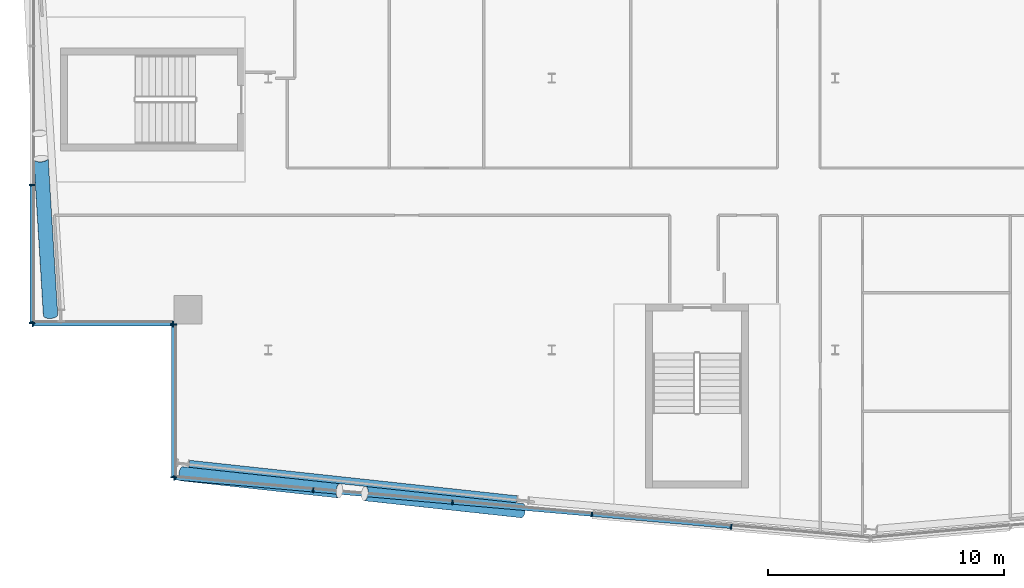
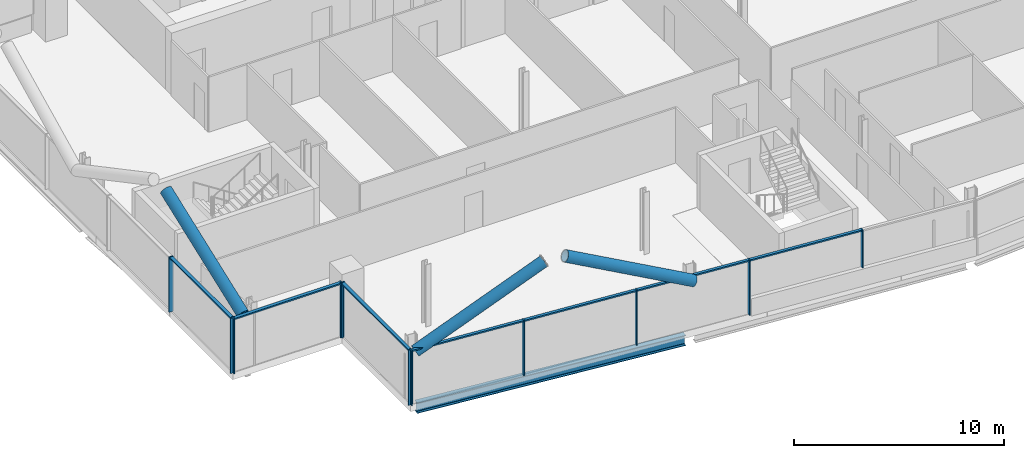
# One storey, part 5 of 26: 21 members, 1 beam, 4 elements without a shape of their own.
"""IFC4 building model written with IfcOpenShell, lengths in metres."""

import ifcopenshell
import ifcopenshell.guid

model = None  # the IFC model being written
_history = None  # IfcOwnerHistory: only IFC2X3 demands one
_inside = {}  # id of a spatial element -> (the spatial element, [elements in it])
_under = {}  # id of a project, library or spatial element -> (it, [spatial elements below it])
_declared = {}  # id of a project -> (the project, [libraries it declares])
_typed = {}  # id of a type object -> (the type object, [elements of that type])
_made_of = {}  # id of a material, layer set ... -> (it, [elements and type objects made of it])


def new_model(schema):
    """Start an empty IFC model of exactly this schema.

    Asked for "IFC4X3", IfcOpenShell would pick the latest addendum, in which some entities
    have other attributes; the version numbers below select the first issue.
    IFC2X3 requires an IfcOwnerHistory on every rooted entity: one is made here for all.
    """
    global model, _history
    if schema == "IFC4X3":
        model = ifcopenshell.file(schema_version=(4, 3, 0, 0))
    else:
        model = ifcopenshell.file(schema=schema)
    _inside.clear()
    _under.clear()
    _declared.clear()
    _typed.clear()
    _made_of.clear()
    _history = None
    if model.schema == "IFC2X3":
        org = make("IfcOrganization", Name="unknown")
        user = make(
            "IfcPersonAndOrganization",
            ThePerson=make("IfcPerson", FamilyName="unknown"),
            TheOrganization=org,
        )
        app = make(
            "IfcApplication",
            ApplicationDeveloper=org,
            Version="unknown",
            ApplicationFullName="unknown",
            ApplicationIdentifier="unknown",
        )
        _history = make(
            "IfcOwnerHistory",
            OwningUser=user,
            OwningApplication=app,
            ChangeAction="ADDED",
            CreationDate=0,
        )
    return model


def make(cls, **values):
    """One entity of the class cls with the attributes given. An attribute that is None is left unset."""
    return model.create_entity(
        cls, **{name: value for name, value in values.items() if value is not None}
    )


def rooted(cls, **values):
    """An entity with a GlobalId (a new one), such as an element, a storey or a relation."""
    return make(cls, GlobalId=ifcopenshell.guid.new(), OwnerHistory=_history, **values)


def si_unit(unit_type, name, prefix=None):
    """IfcSIUnit, for example si_unit("LENGTHUNIT", "METRE", prefix="MILLI")."""
    return make("IfcSIUnit", UnitType=unit_type, Prefix=prefix, Name=name)


def assignment(units):
    """IfcUnitAssignment: the units of a project."""
    return None if units is None else make("IfcUnitAssignment", Units=units)


def point(xyz):
    """IfcCartesianPoint."""
    return None if xyz is None else make("IfcCartesianPoint", Coordinates=xyz)


def direction(xyz):
    """IfcDirection."""
    return None if xyz is None else make("IfcDirection", DirectionRatios=xyz)


def frame(location, z_axis=None, x_axis=None):
    """IfcAxis2Placement3D, a coordinate frame: its origin and axes. An axis left out is left unset."""
    return make(
        "IfcAxis2Placement3D",
        Location=point(location),
        Axis=direction(z_axis),
        RefDirection=direction(x_axis),
    )


def frame_2d(location, x_axis=None):
    """IfcAxis2Placement2D, a coordinate frame in the plane: its origin and x axis."""
    return make(
        "IfcAxis2Placement2D", Location=point(location), RefDirection=direction(x_axis)
    )


def origin():
    """The frame at (0, 0, 0) with its axes left unset."""
    return frame((0.0, 0.0, 0.0))


def origin_2d():
    """The frame at (0, 0) in the plane with its x axis left unset."""
    return frame_2d((0.0, 0.0))


def place(relative_to, where):
    """IfcLocalPlacement: puts the frame where relative to a parent placement (None: the world)."""
    return make(
        "IfcLocalPlacement", PlacementRelTo=relative_to, RelativePlacement=where
    )


def context(
    kind, dimensions, precision=None, world=None, true_north=None, identifier=None
):
    """IfcGeometricRepresentationContext, for example the 3D "Model" context."""
    return make(
        "IfcGeometricRepresentationContext",
        ContextIdentifier=identifier,
        ContextType=kind,
        CoordinateSpaceDimension=dimensions,
        Precision=precision,
        WorldCoordinateSystem=world,
        TrueNorth=true_north,
    )


def subcontext(parent, identifier, kind, view, scale=None):
    """IfcGeometricRepresentationSubContext, for example "Body" below "Model"."""
    return make(
        "IfcGeometricRepresentationSubContext",
        ContextIdentifier=identifier,
        ContextType=kind,
        ParentContext=parent,
        TargetScale=scale,
        TargetView=view,
    )


def project(units=None, contexts=None):
    """IfcProject with its units and contexts."""
    return rooted(
        "IfcProject",
        Name="project",
        RepresentationContexts=contexts,
        UnitsInContext=assignment(units),
    )


def spatial(cls, under=None, at=None, **own):
    """A site, building, storey or space (cls), placed at a placement, below another one or the project."""
    s = rooted(cls, ObjectPlacement=at, **own)
    if under is not None:
        _under.setdefault(under.id(), (under, []))[1].append(s)
    return s


def profile(cls, at=None, kind="AREA", **sizes):
    """A parametric profile (cls). Its sizes go by their IFC names, for example OverallWidth=200.0."""
    return make(cls, ProfileType=kind, Position=at, **sizes)


def rectangle(**sizes):
    """IfcRectangleProfileDef."""
    return profile("IfcRectangleProfileDef", **sizes)


def hollow_circle(**sizes):
    """IfcCircleHollowProfileDef."""
    return profile("IfcCircleHollowProfileDef", **sizes)


def i_section(**sizes):
    """IfcIShapeProfileDef."""
    return profile("IfcIShapeProfileDef", **sizes)


def extrude(swept, where, along, depth):
    """IfcExtrudedAreaSolid: the profile swept, set in the frame where, extruded along a direction by depth."""
    return make(
        "IfcExtrudedAreaSolid",
        SweptArea=swept,
        Position=where,
        ExtrudedDirection=direction(along),
        Depth=depth,
    )


def shape(context_of_items, identifier, shape_type, items):
    """IfcShapeRepresentation: the items that make up one representation, for example the "Body"."""
    return make(
        "IfcShapeRepresentation",
        ContextOfItems=context_of_items,
        RepresentationIdentifier=identifier,
        RepresentationType=shape_type,
        Items=items,
    )


def material(Name=None, Category=None):
    """IfcMaterial."""
    return make("IfcMaterial", Name=Name, Category=Category)


def material_profile(
    of_material, cross_section, Name=None, Category=None, Priority=None
):
    """IfcMaterialProfile: a cross section and its material."""
    return make(
        "IfcMaterialProfile",
        Name=Name,
        Material=of_material,
        Profile=cross_section,
        Priority=Priority,
        Category=Category,
    )


def profile_set(profiles, Name=None, composite=None):
    """IfcMaterialProfileSet."""
    return make(
        "IfcMaterialProfileSet",
        Name=Name,
        MaterialProfiles=profiles,
        CompositeProfile=composite,
    )


def made_of(thing, what):
    """Note that an element or type object is made of a material, layer set ...; save() writes the relation."""
    if what is not None:
        _made_of.setdefault(what.id(), (what, []))[1].append(thing)
    return thing


def type_object(cls, material=None, **own):
    """A type object (cls), such as IfcWallType, which elements share."""
    return made_of(rooted(cls, **own), material)


def element(
    cls,
    number,
    at=None,
    inside=None,
    cuts=None,
    type_object=None,
    material=None,
    context=None,
    identifier="Body",
    shape_type=None,
    held_by="IfcProductDefinitionShape",
    body=None,
    shapes=None,
    **own,
):
    """One element of the class cls, such as IfcWall. Its Tag is "e" and its number.

    at: its placement. inside: the storey or other place that contains it. cuts: it is an
    opening in that element (IfcRelVoidsElement). A single representation is given by context,
    identifier, shape_type and body (its items); several are given by shapes. held_by: the class
    of the entity that holds the representations. save() writes the other relations.
    """
    e = rooted(cls, Tag="e%d" % number, ObjectPlacement=at, **own)
    if body is not None:
        shapes = [shape(context, identifier, shape_type, body)]
    if shapes is not None:
        e.Representation = make(held_by, Representations=shapes)
    if inside is not None:
        _inside.setdefault(inside.id(), (inside, []))[1].append(e)
    if cuts is not None:
        rooted(
            "IfcRelVoidsElement", RelatingBuildingElement=cuts, RelatedOpeningElement=e
        )
    if type_object is not None:
        _typed.setdefault(type_object.id(), (type_object, []))[1].append(e)
    return made_of(e, material)


def aggregate(whole, parts):
    """IfcRelAggregates: a whole, such as a stair, and the parts it consists of."""
    return rooted("IfcRelAggregates", RelatingObject=whole, RelatedObjects=parts)


def save(model, path):
    """Write the relations noted so far, then the file.

    IfcRelAggregates (storeys below a building ...), IfcRelContainedInSpatialStructure (elements
    in a storey), IfcRelDefinesByType, IfcRelAssociatesMaterial and IfcRelDeclares: one each for
    every whole, place, type object, material and project.
    """
    for whole, parts in _under.values():
        aggregate(whole, parts)
    for where, things in _inside.values():
        rooted(
            "IfcRelContainedInSpatialStructure",
            RelatedElements=things,
            RelatingStructure=where,
        )
    for kind, things in _typed.values():
        rooted("IfcRelDefinesByType", RelatedObjects=things, RelatingType=kind)
    for what, things in _made_of.values():
        rooted("IfcRelAssociatesMaterial", RelatedObjects=things, RelatingMaterial=what)
    for by, libraries in _declared.values():
        rooted("IfcRelDeclares", RelatingContext=by, RelatedDefinitions=libraries)
    model.write(path)


model = new_model("IFC4")

# Units and contexts
model_context = context("Model", 3, precision=1e-05, world=origin(), true_north=direction((0.0, 1.0)))
body_context = subcontext(model_context, "Body", "Model", "MODEL_VIEW")
ifc_project = project(units=[si_unit("LENGTHUNIT", "METRE"), si_unit("AREAUNIT", "SQUARE_METRE"), si_unit("VOLUMEUNIT", "CUBIC_METRE"), si_unit("PLANEANGLEUNIT", "RADIAN"), si_unit("MASSUNIT", "GRAM", prefix="KILO")], contexts=[model_context])

# Site, building, storey
site_placement = place(None, origin())
site = spatial("IfcSite", under=ifc_project, at=site_placement, CompositionType="ELEMENT")
building_placement = place(site_placement, origin())
building = spatial("IfcBuilding", under=site, at=building_placement, Name="Wharfspan Tower", CompositionType="ELEMENT")
storey_placement = place(building_placement, frame((0.0, 0.0, 217.899902)))
storey = spatial("IfcBuildingStorey", under=building, at=storey_placement, Name="L54", CompositionType="ELEMENT", Elevation=217.899902)

# Beam
ifc_material_1 = material(Name="Steel S355J2", Category="steel")
ifc_material_profile_1 = material_profile(ifc_material_1, i_section(OverallWidth=0.300049, OverallDepth=0.600098, WebThickness=0.015381, FlangeThickness=0.030029, FilletRadius=0.0271, at=origin_2d()))
ifc_profile_set_1 = profile_set([ifc_material_profile_1], Name="Steel S355J2")
beam_type = type_object("IfcBeamType", Name="Edge beam HEB 600", PredefinedType="SPANDREL", material=ifc_profile_set_1)
beam_placement = place(storey_placement, frame((20.648682, 6.674805, -0.699951), z_axis=(0.99418, -0.107732, 0.0), x_axis=(0.107732, 0.99418, 0.0)))
element("IfcBeam", 1, at=beam_placement, inside=storey, type_object=beam_type, Name="Edge beam S1 L54 PS1.1 to PS1.2", PredefinedType="SPANDREL", context=body_context, shape_type="SweptSolid", body=[
    extrude(i_section(OverallWidth=0.300049, OverallDepth=0.600098, WebThickness=0.015381, FlangeThickness=0.030029, FilletRadius=0.0271, at=origin_2d()), origin(), (0.0, 0.0, 1.0), 13.95752),
])

# Curtain wall, members
ifc_material_2 = material(Name="Aluminium 6063-T6", Category="aluminium")
curtain_wall_type_1 = type_object("IfcCurtainWallType", Name="CURTAIN WALL FACETED FRONT", PredefinedType="NOTDEFINED", material=ifc_material_2)
curtain_wall_1_placement = place(storey_placement, origin())
curtain_wall_1 = element("IfcCurtainWall", 2, at=curtain_wall_1_placement, inside=storey, type_object=curtain_wall_type_1, Name="Curtain wall S1", PredefinedType="NOTDEFINED")
ifc_material_profile_2 = material_profile(ifc_material_2, rectangle(XDim=0.199951, YDim=0.060059, at=origin_2d()))
ifc_profile_set_2 = profile_set([ifc_material_profile_2], Name="Aluminium 6063-T6")
member_type_1 = type_object("IfcMemberType", Name="MULLION FACETED FRONT 60x200", PredefinedType="MULLION", material=ifc_profile_set_2)
member_1_placement = place(storey_placement, frame((20.029785, 6.07251, 0.0), z_axis=(0.0, 0.0, 1.0), x_axis=(0.087156, 0.996197, 0.0)))
member_1 = element("IfcMember", 3, at=member_1_placement, type_object=member_type_1, Name="Curtain wall S1 mullion 1", PredefinedType="MULLION", context=body_context, shape_type="SweptSolid", body=[
    extrude(rectangle(XDim=0.199951, YDim=0.060059, at=origin_2d()), origin(), (0.0, 0.0, 1.0), 3.200195),
])
member_2_placement = place(storey_placement, frame((25.899902, 5.558838, 0.0), z_axis=(0.0, 0.0, 1.0), x_axis=(0.087156, 0.996197, 0.0)))
member_2 = element("IfcMember", 4, at=member_2_placement, type_object=member_type_1, Name="Curtain wall S1 mullion 2", PredefinedType="MULLION", context=body_context, shape_type="SweptSolid", body=[
    extrude(rectangle(XDim=0.199951, YDim=0.060059, at=origin_2d()), origin(), (0.0, 0.0, 1.0), 3.200195),
])
member_3_placement = place(storey_placement, frame((31.800049, 5.042725, 0.0), z_axis=(0.0, 0.0, 1.0), x_axis=(0.087156, 0.996197, 0.0)))
member_3 = element("IfcMember", 5, at=member_3_placement, type_object=member_type_1, Name="Curtain wall S1 mullion 3", PredefinedType="MULLION", context=body_context, shape_type="SweptSolid", body=[
    extrude(rectangle(XDim=0.199951, YDim=0.060059, at=origin_2d()), origin(), (0.0, 0.0, 1.0), 3.200195),
])
member_4_placement = place(storey_placement, frame((37.699951, 4.526611, 0.0), z_axis=(0.0, 0.0, 1.0), x_axis=(0.087156, 0.996197, 0.0)))
member_4 = element("IfcMember", 6, at=member_4_placement, type_object=member_type_1, Name="Curtain wall S1 mullion 4", PredefinedType="MULLION", context=body_context, shape_type="SweptSolid", body=[
    extrude(rectangle(XDim=0.199951, YDim=0.060059, at=origin_2d()), origin(), (0.0, 0.0, 1.0), 3.200195),
])
member_5_placement = place(storey_placement, frame((43.600098, 4.010254, 1.0), z_axis=(0.0, 0.0, 1.0), x_axis=(0.087156, 0.996197, 0.0)))
member_5 = element("IfcMember", 7, at=member_5_placement, type_object=member_type_1, Name="Curtain wall S1 mullion 5", PredefinedType="MULLION", context=body_context, shape_type="SweptSolid", body=[
    extrude(rectangle(XDim=0.199951, YDim=0.060059, at=origin_2d()), origin(), (0.0, 0.0, 1.0), 2.200195),
])

curtain_wall_type_2 = type_object("IfcCurtainWallType", Name="CURTAIN WALL PROW AND END", PredefinedType="NOTDEFINED", material=ifc_material_2)
curtain_wall_2_placement = place(storey_placement, origin())
curtain_wall_2 = element("IfcCurtainWall", 8, at=curtain_wall_2_placement, inside=storey, type_object=curtain_wall_type_2, Name="Curtain wall W", PredefinedType="NOTDEFINED")
ifc_material_profile_3 = material_profile(ifc_material_2, rectangle(XDim=0.23999, YDim=0.060059, at=origin_2d()))
ifc_profile_set_3 = profile_set([ifc_material_profile_3], Name="Aluminium 6063-T6")
member_type_2 = type_object("IfcMemberType", Name="MULLION PROW AND END 60x240", PredefinedType="MULLION", material=ifc_profile_set_3)
member_6_placement = place(storey_placement, frame((14.0, 18.47998, 0.0), z_axis=(0.0, 0.0, 1.0), x_axis=(1.0, 0.0, 0.0)))
member_6 = element("IfcMember", 9, at=member_6_placement, type_object=member_type_2, Name="Curtain wall W mullion 5", PredefinedType="MULLION", context=body_context, shape_type="SweptSolid", body=[
    extrude(rectangle(XDim=0.23999, YDim=0.060059, at=origin_2d()), origin(), (0.0, 0.0, 1.0), 3.200195),
])
member_7_placement = place(storey_placement, frame((14.0, 12.629883, 0.0), z_axis=(0.0, 0.0, 1.0), x_axis=(1.0, 0.0, 0.0)))
member_7 = element("IfcMember", 10, at=member_7_placement, type_object=member_type_2, Name="Curtain wall W mullion 6", PredefinedType="MULLION", context=body_context, shape_type="SweptSolid", body=[
    extrude(rectangle(XDim=0.23999, YDim=0.060059, at=origin_2d()), origin(), (0.0, 0.0, 1.0), 3.200195),
])

curtain_wall_3_placement = place(storey_placement, origin())
curtain_wall_3 = element("IfcCurtainWall", 11, at=curtain_wall_3_placement, inside=storey, type_object=curtain_wall_type_2, Name="Curtain wall NFW-H", PredefinedType="NOTDEFINED")
member_8_placement = place(storey_placement, frame((14.030029, 12.600098, 0.0), z_axis=(0.0, 0.0, 1.0), x_axis=(0.0, 1.0, 0.0)))
member_8 = element("IfcMember", 12, at=member_8_placement, type_object=member_type_2, Name="Curtain wall NFW-H mullion 1", PredefinedType="MULLION", context=body_context, shape_type="SweptSolid", body=[
    extrude(rectangle(XDim=0.23999, YDim=0.060059, at=origin_2d()), origin(), (0.0, 0.0, 1.0), 3.200195),
])
member_9_placement = place(storey_placement, frame((19.969971, 12.600098, 0.0), z_axis=(0.0, 0.0, 1.0), x_axis=(0.0, 1.0, 0.0)))
member_9 = element("IfcMember", 13, at=member_9_placement, type_object=member_type_2, Name="Curtain wall NFW-H mullion 2", PredefinedType="MULLION", context=body_context, shape_type="SweptSolid", body=[
    extrude(rectangle(XDim=0.23999, YDim=0.060059, at=origin_2d()), origin(), (0.0, 0.0, 1.0), 3.200195),
])

curtain_wall_4_placement = place(storey_placement, origin())
curtain_wall_4 = element("IfcCurtainWall", 14, at=curtain_wall_4_placement, inside=storey, type_object=curtain_wall_type_2, Name="Curtain wall NFW-V", PredefinedType="NOTDEFINED")
member_10_placement = place(storey_placement, frame((20.0, 12.570068, 0.0), z_axis=(0.0, 0.0, 1.0), x_axis=(1.0, 0.0, 0.0)))
member_10 = element("IfcMember", 15, at=member_10_placement, type_object=member_type_2, Name="Curtain wall NFW-V mullion 1", PredefinedType="MULLION", context=body_context, shape_type="SweptSolid", body=[
    extrude(rectangle(XDim=0.23999, YDim=0.060059, at=origin_2d()), origin(), (0.0, 0.0, 1.0), 3.200195),
])
member_11_placement = place(storey_placement, frame((20.0, 6.10498, 0.0), z_axis=(0.0, 0.0, 1.0), x_axis=(1.0, 0.0, 0.0)))
member_11 = element("IfcMember", 16, at=member_11_placement, type_object=member_type_2, Name="Curtain wall NFW-V mullion 2", PredefinedType="MULLION", context=body_context, shape_type="SweptSolid", body=[
    extrude(rectangle(XDim=0.23999, YDim=0.060059, at=origin_2d()), origin(), (0.0, 0.0, 1.0), 3.200195),
])

# Members
ifc_material_3 = material(Name="Steel S460NH", Category="steel")
ifc_material_profile_4 = material_profile(ifc_material_3, hollow_circle(Radius=0.304932, WallThickness=0.024902, at=origin_2d()))
ifc_profile_set_4 = profile_set([ifc_material_profile_4], Name="Steel S460NH")
member_type_3 = type_object("IfcMemberType", Name="Mega brace CHS 610x25", PredefinedType="BRACE", material=ifc_profile_set_4)
for number, where, z_axis, x_axis, name in (
    (17, (20.352539, 6.249268, 2.900146), (0.890126, -0.09646, 0.445389), (0.107737, 0.99418, -2e-06), "Mega brace S1 L55 part 1"),
    (18, (34.741699, 4.689941, 2.900146), (-0.890126, 0.09646, 0.445389), (-0.107737, -0.99418, -2e-06), "Mega brace S1 L55 part 3"),
):
    element("IfcMember", number, at=place(storey_placement, frame(where, z_axis=z_axis, x_axis=x_axis)), inside=storey, type_object=member_type_3, Name=name, PredefinedType="BRACE", context=body_context, shape_type="SweptSolid", body=[
        extrude(hollow_circle(Radius=0.304932, WallThickness=0.024902, at=origin_2d()), origin(), (0.0, 0.0, 1.0), 7.474121),
    ])
member_12_placement = place(storey_placement, frame((14.782715, 12.963379, 2.900146), z_axis=(-0.054615, 0.892302, 0.448123), x_axis=(-0.998132, -0.061091, -3e-06)))
element("IfcMember", 19, at=member_12_placement, inside=storey, type_object=member_type_3, Name="Mega brace W4 L55 part 3", PredefinedType="BRACE", context=body_context, shape_type="SweptSolid", body=[
    extrude(hollow_circle(Radius=0.304932, WallThickness=0.024902, at=origin_2d()), origin(), (0.0, 0.0, 1.0), 7.429443),
])

# Member
ifc_material_profile_5 = material_profile(ifc_material_2, rectangle(XDim=0.159912, YDim=0.080078, at=origin_2d()))
ifc_profile_set_5 = profile_set([ifc_material_profile_5], Name="Aluminium 6063-T6")
member_type_4 = type_object("IfcMemberType", Name="TRANSOM FACETED FRONT 80x160", PredefinedType="USERDEFINED", material=ifc_profile_set_5)
member_13_placement = place(storey_placement, frame((20.059814, 6.069824, 3.160156), z_axis=(0.996195, -0.08715, 0.0), x_axis=(0.08715, 0.996195, 0.0)))
member_13 = element("IfcMember", 20, at=member_13_placement, type_object=member_type_4, Name="Curtain wall S1 transom 1", ObjectType="TRANSOM", PredefinedType="USERDEFINED", context=body_context, shape_type="SweptSolid", body=[
    extrude(rectangle(XDim=0.159912, YDim=0.080078, at=origin_2d()), origin(), (0.0, 0.0, 1.0), 5.83252),
])

member_14_placement = place(storey_placement, frame((25.929932, 5.556152, 3.160156), z_axis=(0.996198, -0.087122, 0.0), x_axis=(0.087122, 0.996198, 0.0)))
member_14 = element("IfcMember", 21, at=member_14_placement, type_object=member_type_4, Name="Curtain wall S1 transom 2", ObjectType="TRANSOM", PredefinedType="USERDEFINED", context=body_context, shape_type="SweptSolid", body=[
    extrude(rectangle(XDim=0.159912, YDim=0.080078, at=origin_2d()), origin(), (0.0, 0.0, 1.0), 5.862305),
])

member_15_placement = place(storey_placement, frame((31.829834, 5.040039, 3.160156), z_axis=(0.996194, -0.08716, 0.0), x_axis=(0.08716, 0.996194, 0.0)))
member_15 = element("IfcMember", 22, at=member_15_placement, type_object=member_type_4, Name="Curtain wall S1 transom 3", ObjectType="TRANSOM", PredefinedType="USERDEFINED", context=body_context, shape_type="SweptSolid", body=[
    extrude(rectangle(XDim=0.159912, YDim=0.080078, at=origin_2d()), origin(), (0.0, 0.0, 1.0), 5.862549),
])

member_16_placement = place(storey_placement, frame((37.72998, 4.523926, 3.160156), z_axis=(0.996194, -0.087163, 0.0), x_axis=(0.087163, 0.996194, 0.0)))
member_16 = element("IfcMember", 23, at=member_16_placement, type_object=member_type_4, Name="Curtain wall S1 transom 4", ObjectType="TRANSOM", PredefinedType="USERDEFINED", context=body_context, shape_type="SweptSolid", body=[
    extrude(rectangle(XDim=0.159912, YDim=0.080078, at=origin_2d()), origin(), (0.0, 0.0, 1.0), 5.862305),
])

aggregate(curtain_wall_1, [member_1, member_2, member_3, member_4, member_5, member_13, member_14, member_15, member_16])

ifc_material_profile_6 = material_profile(ifc_material_2, rectangle(XDim=0.179932, YDim=0.080078, at=origin_2d()))
ifc_profile_set_6 = profile_set([ifc_material_profile_6], Name="Aluminium 6063-T6")
member_type_5 = type_object("IfcMemberType", Name="TRANSOM PROW AND END 80x180", PredefinedType="USERDEFINED", material=ifc_profile_set_6)
member_17_placement = place(storey_placement, frame((14.0, 18.449951, 3.160156), z_axis=(0.0, -1.0, 0.0), x_axis=(1.0, 0.0, 0.0)))
member_17 = element("IfcMember", 24, at=member_17_placement, type_object=member_type_5, Name="Curtain wall W transom 5", ObjectType="TRANSOM", PredefinedType="USERDEFINED", context=body_context, shape_type="SweptSolid", body=[
    extrude(rectangle(XDim=0.179932, YDim=0.080078, at=origin_2d()), origin(), (0.0, 0.0, 1.0), 5.790039),
])

aggregate(curtain_wall_2, [member_6, member_7, member_17])

member_18_placement = place(storey_placement, frame((14.060059, 12.600098, 3.160156), z_axis=(1.0, 0.0, 0.0), x_axis=(0.0, 1.0, 0.0)))
member_18 = element("IfcMember", 25, at=member_18_placement, type_object=member_type_5, Name="Curtain wall NFW-H transom 1", ObjectType="TRANSOM", PredefinedType="USERDEFINED", context=body_context, shape_type="SweptSolid", body=[
    extrude(rectangle(XDim=0.179932, YDim=0.080078, at=origin_2d()), origin(), (0.0, 0.0, 1.0), 5.879883),
])

aggregate(curtain_wall_3, [member_8, member_9, member_18])

member_19_placement = place(storey_placement, frame((20.0, 12.540039, 3.160156), z_axis=(0.0, -1.0, 0.0), x_axis=(1.0, 0.0, 0.0)))
member_19 = element("IfcMember", 26, at=member_19_placement, type_object=member_type_5, Name="Curtain wall NFW-V transom 1", ObjectType="TRANSOM", PredefinedType="USERDEFINED", context=body_context, shape_type="SweptSolid", body=[
    extrude(rectangle(XDim=0.179932, YDim=0.080078, at=origin_2d()), origin(), (0.0, 0.0, 1.0), 6.405029),
])

aggregate(curtain_wall_4, [member_10, member_11, member_19])

save(model, "model.ifc")
